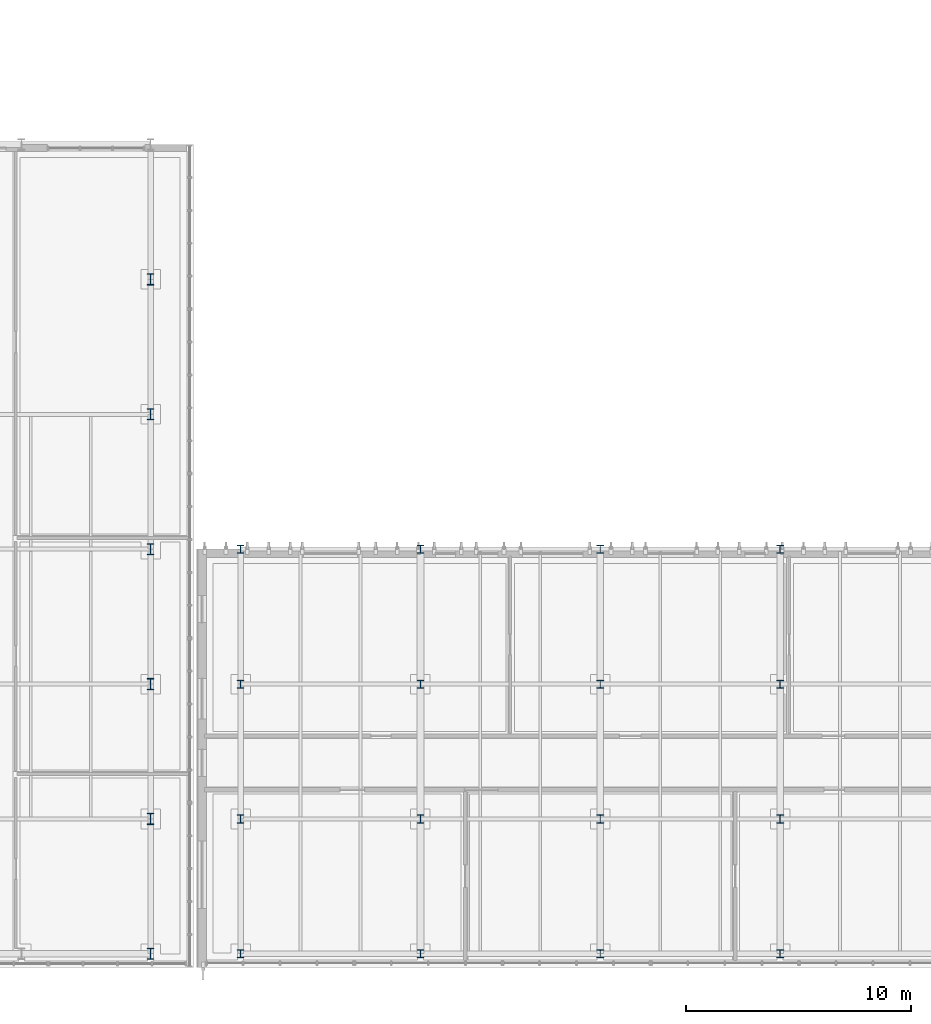
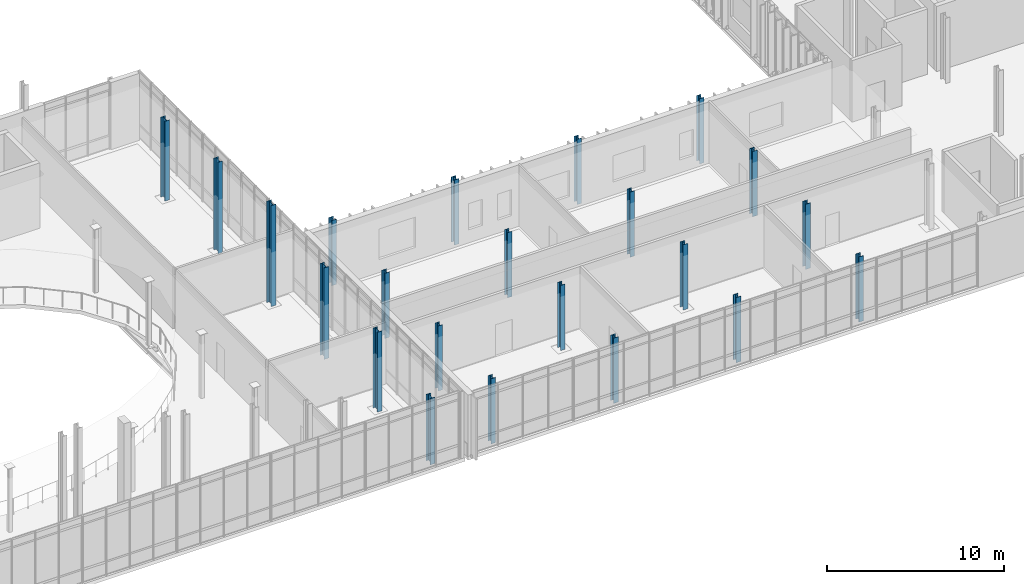
# One storey, part 6 of 86: 22 columns.
"""IFC4 building model written with IfcOpenShell, lengths in metres."""

from ifc_helpers import new_model, si_unit, direction, frame, origin, origin_2d, place, context, subcontext, project, spatial, i_section, extrude, material, material_profile, profile_set, type_object, element, save


model = new_model("IFC4")

# Units and contexts
model_context = context("Model", 3, precision=1e-05, world=origin(), true_north=direction((0.0, 1.0)))
body_context = subcontext(model_context, "Body", "Model", "MODEL_VIEW")
ifc_project = project(units=[si_unit("LENGTHUNIT", "METRE"), si_unit("AREAUNIT", "SQUARE_METRE"), si_unit("VOLUMEUNIT", "CUBIC_METRE"), si_unit("PLANEANGLEUNIT", "RADIAN"), si_unit("MASSUNIT", "GRAM", prefix="KILO")], contexts=[model_context])

# Site, building, storey
site_placement = place(None, origin())
site = spatial("IfcSite", under=ifc_project, at=site_placement, CompositionType="ELEMENT")
building_placement = place(site_placement, origin())
building = spatial("IfcBuilding", under=site, at=building_placement, Name="Cymarion Research Institute", CompositionType="ELEMENT")
storey_placement = place(building_placement, frame((0.0, 0.0, 13.800048828125)))
storey = spatial("IfcBuildingStorey", under=building, at=storey_placement, Name="L03", CompositionType="ELEMENT", Elevation=13.800048828125)

# Columns
ifc_material = material(Name="Steel S355", Category="steel")
ifc_material_profile_1 = material_profile(ifc_material, i_section(OverallWidth=0.300048828125, OverallDepth=0.5, WebThickness=0.014404296875, FlangeThickness=0.028076171875, FilletRadius=0.027099609375, at=origin_2d()), Name="HEB 500")
ifc_profile_set_1 = profile_set([ifc_material_profile_1], Name="Steel S355")
column_type_1 = type_object("IfcColumnType", Name="STRUCTURAL COLUMN C04 HEB 500", PredefinedType="COLUMN", material=ifc_profile_set_1)
column_1_placement = place(storey_placement, frame((102.60009765625, 5.5, 0.0), z_axis=(0.0, 0.0, 1.0), x_axis=(1.0, 0.0, 0.0)))
element("IfcColumn", 1, at=column_1_placement, inside=storey, type_object=column_type_1, Name="L03 V2 column C04 #968", PredefinedType="COLUMN", context=body_context, shape_type="SweptSolid", body=[
    extrude(i_section(OverallWidth=0.300048828125, OverallDepth=0.5, WebThickness=0.014404296875, FlangeThickness=0.028076171875, FilletRadius=0.027099609375, at=origin_2d()), origin(), (0.0, 0.0, 1.0), 4.577880859375),
])
column_2_placement = place(storey_placement, frame((102.60009765625, 11.5, 0.0), z_axis=(0.0, 0.0, 1.0), x_axis=(1.0, 0.0, 0.0)))
element("IfcColumn", 2, at=column_2_placement, inside=storey, type_object=column_type_1, Name="L03 V2 column C04 #969", PredefinedType="COLUMN", context=body_context, shape_type="SweptSolid", body=[
    extrude(i_section(OverallWidth=0.300048828125, OverallDepth=0.5, WebThickness=0.014404296875, FlangeThickness=0.028076171875, FilletRadius=0.027099609375, at=origin_2d()), origin(), (0.0, 0.0, 1.0), 5.508056640625),
])
column_3_placement = place(storey_placement, frame((102.60009765625, 17.5, 0.0), z_axis=(0.0, 0.0, 1.0), x_axis=(1.0, 0.0, 0.0)))
element("IfcColumn", 3, at=column_3_placement, inside=storey, type_object=column_type_1, Name="L03 V2 column C04 #970", PredefinedType="COLUMN", context=body_context, shape_type="SweptSolid", body=[
    extrude(i_section(OverallWidth=0.300048828125, OverallDepth=0.5, WebThickness=0.014404296875, FlangeThickness=0.028076171875, FilletRadius=0.027099609375, at=origin_2d()), origin(), (0.0, 0.0, 1.0), 6.31787109375),
])
column_4_placement = place(storey_placement, frame((102.60009765625, 23.5, 0.0), z_axis=(0.0, 0.0, 1.0), x_axis=(1.0, 0.0, 0.0)))
element("IfcColumn", 4, at=column_4_placement, inside=storey, type_object=column_type_1, Name="L03 V2 column C04 #971", PredefinedType="COLUMN", context=body_context, shape_type="SweptSolid", body=[
    extrude(i_section(OverallWidth=0.300048828125, OverallDepth=0.5, WebThickness=0.014404296875, FlangeThickness=0.028076171875, FilletRadius=0.027099609375, at=origin_2d()), origin(), (0.0, 0.0, 1.0), 6.97802734375),
])
column_5_placement = place(storey_placement, frame((102.60009765625, 29.5, 0.0), z_axis=(0.0, 0.0, 1.0), x_axis=(1.0, 0.0, 0.0)))
element("IfcColumn", 5, at=column_5_placement, inside=storey, type_object=column_type_1, Name="L03 V2 column C04 #972", PredefinedType="COLUMN", context=body_context, shape_type="SweptSolid", body=[
    extrude(i_section(OverallWidth=0.300048828125, OverallDepth=0.5, WebThickness=0.014404296875, FlangeThickness=0.028076171875, FilletRadius=0.027099609375, at=origin_2d()), origin(), (0.0, 0.0, 1.0), 6.31787109375),
])
column_6_placement = place(storey_placement, frame((102.60009765625, 35.5, 0.0), z_axis=(0.0, 0.0, 1.0), x_axis=(1.0, 0.0, 0.0)))
element("IfcColumn", 6, at=column_6_placement, inside=storey, type_object=column_type_1, Name="L03 V2 column C04 #973", PredefinedType="COLUMN", context=body_context, shape_type="SweptSolid", body=[
    extrude(i_section(OverallWidth=0.300048828125, OverallDepth=0.5, WebThickness=0.014404296875, FlangeThickness=0.028076171875, FilletRadius=0.027099609375, at=origin_2d()), origin(), (0.0, 0.0, 1.0), 5.508056640625),
])
ifc_material_profile_2 = material_profile(ifc_material, i_section(OverallWidth=0.300048828125, OverallDepth=0.360107421875, WebThickness=0.012451171875, FlangeThickness=0.0224609375, FilletRadius=0.027099609375, at=origin_2d()), Name="HEB 360")
ifc_profile_set_2 = profile_set([ifc_material_profile_2], Name="Steel S355")
column_type_2 = type_object("IfcColumnType", Name="STRUCTURAL COLUMN C07 HEB 360", PredefinedType="COLUMN", material=ifc_profile_set_2)
for number, where, z_axis, x_axis, name in (
    (7, (106.60009765625, 5.5, 0.0), (0.0, 0.0, 1.0), (1.0, 0.0, 0.0), "L03 V1 column C07 #975"),
    (8, (106.60009765625, 11.5, 0.0), (0.0, 0.0, 1.0), (1.0, 0.0, 0.0), "L03 V1 column C07 #976"),
    (9, (106.60009765625, 17.5, 0.0), (0.0, 0.0, 1.0), (1.0, 0.0, 0.0), "L03 V1 column C07 #977"),
    (10, (106.60009765625, 23.5, 0.0), (0.0, 0.0, 1.0), (1.0, 0.0, 0.0), "L03 V1 column C07 #978"),
    (11, (114.60009765625, 5.5, 0.0), (0.0, 0.0, 1.0), (1.0, 0.0, 0.0), "L03 V1 column C07 #979"),
    (12, (114.60009765625, 11.5, 0.0), (0.0, 0.0, 1.0), (1.0, 0.0, 0.0), "L03 V1 column C07 #980"),
    (13, (114.60009765625, 17.5, 0.0), (0.0, 0.0, 1.0), (1.0, 0.0, 0.0), "L03 V1 column C07 #981"),
    (14, (114.60009765625, 23.5, 0.0), (0.0, 0.0, 1.0), (1.0, 0.0, 0.0), "L03 V1 column C07 #982"),
    (15, (122.60009765625, 5.5, 0.0), (0.0, 0.0, 1.0), (1.0, 0.0, 0.0), "L03 V1 column C07 #983"),
    (16, (122.60009765625, 11.5, 0.0), (0.0, 0.0, 1.0), (1.0, 0.0, 0.0), "L03 V1 column C07 #984"),
    (17, (122.60009765625, 17.5, 0.0), (0.0, 0.0, 1.0), (1.0, 0.0, 0.0), "L03 V1 column C07 #985"),
    (18, (122.60009765625, 23.5, 0.0), (0.0, 0.0, 1.0), (1.0, 0.0, 0.0), "L03 V1 column C07 #986"),
    (19, (130.60009765625, 5.5, 0.0), (0.0, 0.0, 1.0), (1.0, 0.0, 0.0), "L03 V1 column C07 #987"),
    (20, (130.60009765625, 11.5, 0.0), (0.0, 0.0, 1.0), (1.0, 0.0, 0.0), "L03 V1 column C07 #988"),
    (21, (130.60009765625, 17.5, 0.0), (0.0, 0.0, 1.0), (1.0, 0.0, 0.0), "L03 V1 column C07 #989"),
    (22, (130.60009765625, 23.5, 0.0), (0.0, 0.0, 1.0), (1.0, 0.0, 0.0), "L03 V1 column C07 #990"),
):
    element("IfcColumn", number, at=place(storey_placement, frame(where, z_axis=z_axis, x_axis=x_axis)), inside=storey, type_object=column_type_2, Name=name, PredefinedType="COLUMN", context=body_context, shape_type="SweptSolid", body=[
        extrude(i_section(OverallWidth=0.300048828125, OverallDepth=0.360107421875, WebThickness=0.012451171875, FlangeThickness=0.0224609375, FilletRadius=0.027099609375, at=origin_2d()), origin(), (0.0, 0.0, 1.0), 4.5),
    ])

save(model, "model.ifc")
